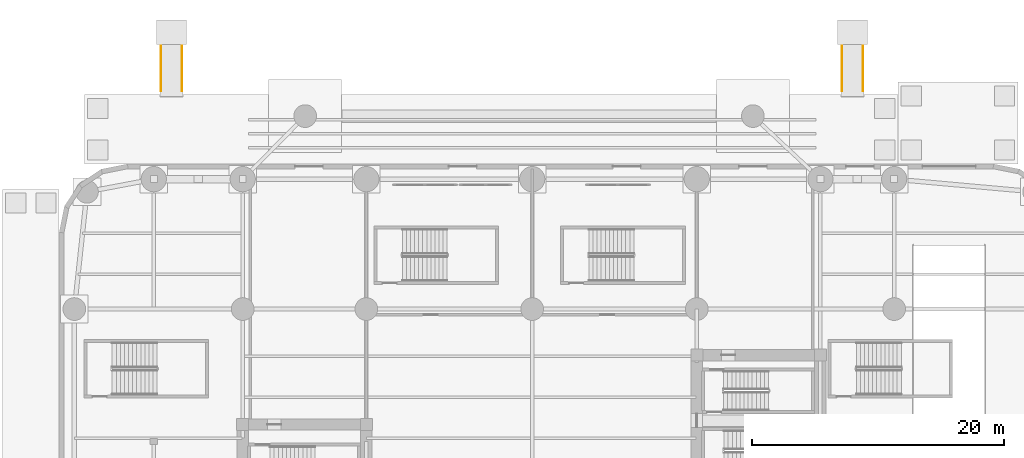
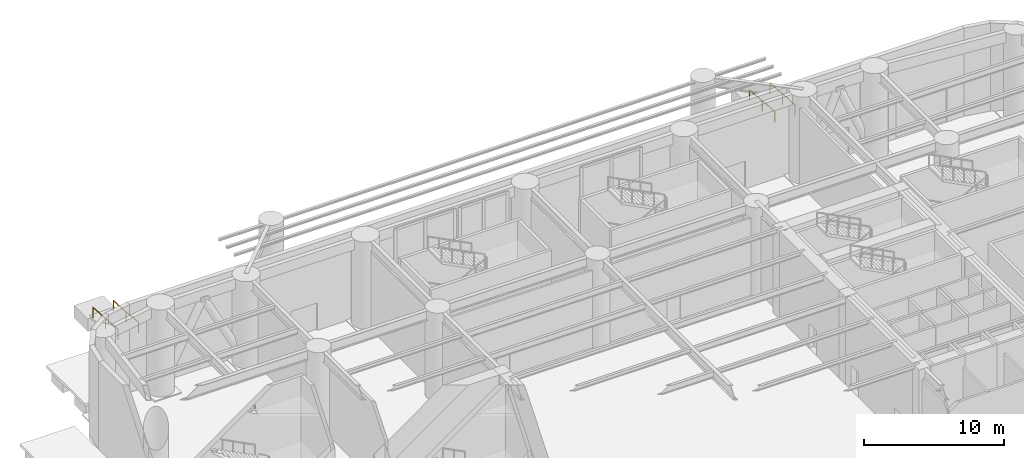
# One storey, part 24 of 25: 4 railings.
"""IFC4 building model written with IfcOpenShell, lengths in metres."""

from ifc_helpers import new_model, si_unit, direction, frame, origin, origin_2d, place, context, subcontext, project, spatial, circle, extrude, material, type_object, element, save


model = new_model("IFC4")

# Units and contexts
model_context = context("Model", 3, precision=1e-05, world=origin(), true_north=direction((0.0, 1.0)))
body_context = subcontext(model_context, "Body", "Model", "MODEL_VIEW")
ifc_project = project(units=[si_unit("LENGTHUNIT", "METRE"), si_unit("AREAUNIT", "SQUARE_METRE"), si_unit("VOLUMEUNIT", "CUBIC_METRE"), si_unit("PLANEANGLEUNIT", "RADIAN"), si_unit("MASSUNIT", "GRAM", prefix="KILO")], contexts=[model_context])

# Site, building, storey
site_placement = place(None, origin())
site = spatial("IfcSite", under=ifc_project, at=site_placement, CompositionType="ELEMENT")
building_placement = place(site_placement, origin())
building = spatial("IfcBuilding", under=site, at=building_placement, Name="Kolvaren Arena Tower", CompositionType="ELEMENT")
storey_placement = place(building_placement, origin())
storey = spatial("IfcBuildingStorey", under=building, at=storey_placement, Name="L00", CompositionType="ELEMENT", Elevation=0.0)

# Railings
ifc_material = material(Name="Brushed stainless steel handrail", Category="steel")
railing_type = type_object("IfcRailingType", Name="HRAIL-900", PredefinedType="HANDRAIL", material=ifc_material)
for number, where, name in (
    (1, (8.06005859375, 63.8701171875, -0.322509765625), "Barrier-Free Ramp Handrail BR-04"),
    (2, (9.739990234375, 63.8701171875, -0.322509765625), "Barrier-Free Ramp Handrail BR-04"),
    (3, (62.06005859375, 63.8701171875, -0.322509765625), "Barrier-Free Ramp Handrail BR-05"),
    (4, (63.739990234375, 63.8701171875, -0.322509765625), "Barrier-Free Ramp Handrail BR-05"),
):
    element("IfcRailing", number, at=place(storey_placement, frame(where)), inside=storey, type_object=railing_type, Name=name, PredefinedType="HANDRAIL", context=body_context, shape_type="SweptSolid", body=[
        extrude(circle(Radius=0.02392578125, at=origin_2d()), frame((0.0, 0.0, 0.89599609375), z_axis=(0.0, -0.996830649407, 0.079552852893), x_axis=(1.0, 0.0, 0.0)), (0.0, 0.0, 1.0), 3.581298828125),
        extrude(circle(Radius=0.02099609375, at=origin_2d()), origin(), (0.0, 0.0, 1.0), 0.871826171875),
        extrude(circle(Radius=0.02099609375, at=origin_2d()), frame((0.0, -1.78515625, 0.142578125)), (0.0, 0.0, 1.0), 0.871826171875),
        extrude(circle(Radius=0.02099609375, at=origin_2d()), frame((0.0, -3.570068359375, 0.284912109375)), (0.0, 0.0, 1.0), 0.871826171875),
    ])

save(model, "model.ifc")
